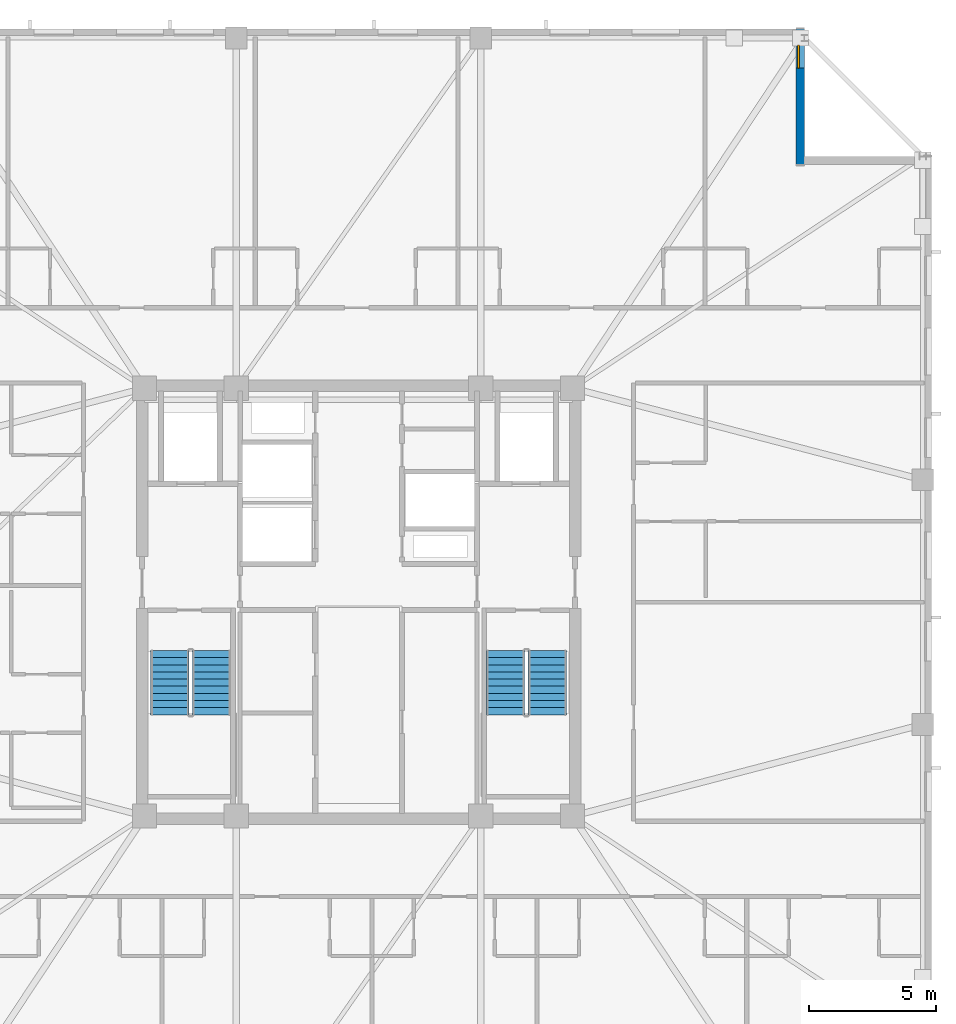
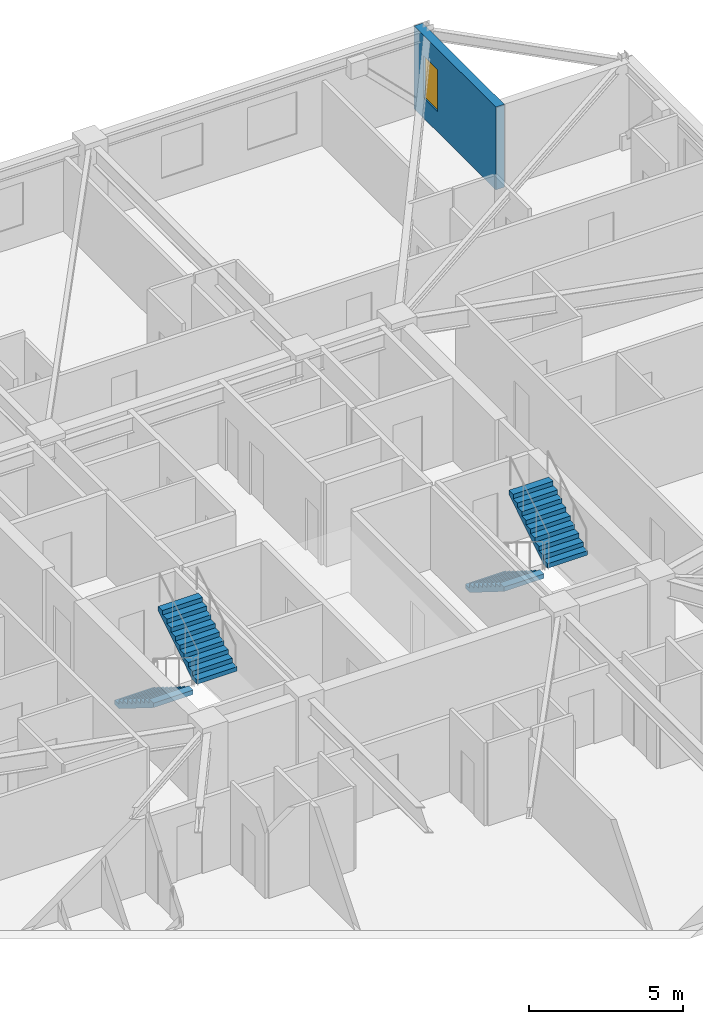
# One storey, part 12 of 17: 4 stair flights, 1 wall, 1 window, 1 opening, 2 elements without a shape of their own.
"""IFC4 building model written with IfcOpenShell, lengths in metres."""

from ifc_helpers import new_model, si_unit, direction, frame, frame_2d, origin, place, context, subcontext, project, spatial, polyline, rectangle, outline, extrude, material, layer, layer_set, type_object, element, fill, aggregate, save


model = new_model("IFC4")

# Units and contexts
model_context = context("Model", 3, precision=1e-05, world=origin(), true_north=direction((0.0, 1.0)))
body_context = subcontext(model_context, "Body", "Model", "MODEL_VIEW")
ifc_project = project(units=[si_unit("LENGTHUNIT", "METRE"), si_unit("AREAUNIT", "SQUARE_METRE"), si_unit("VOLUMEUNIT", "CUBIC_METRE"), si_unit("PLANEANGLEUNIT", "RADIAN"), si_unit("MASSUNIT", "GRAM", prefix="KILO")], contexts=[model_context])

# Site, building, storey
site_placement = place(None, origin())
site = spatial("IfcSite", under=ifc_project, at=site_placement, CompositionType="ELEMENT")
building_placement = place(site_placement, origin())
building = spatial("IfcBuilding", under=site, at=building_placement, Name="Cairnveth Concourse Tower", CompositionType="ELEMENT")
storey_placement = place(building_placement, frame((0.0, 0.0, 234.0)))
storey = spatial("IfcBuildingStorey", under=building, at=storey_placement, Name="L64", CompositionType="ELEMENT", Elevation=234.0)

# Wall, opening, window
ifc_material_1 = material(Name="Melbourne Buff Fired Clay Brick Masonry", Category="masonry")
ifc_layer = layer(ifc_material_1, 0.320068359375)
ifc_layer_set = layer_set([ifc_layer], Name="Melbourne Buff Fired Clay Brick Masonry")
wall_type = type_object("IfcWallType", Name="ZONE 3 BRICK PIER SPANDREL WALL 320", PredefinedType="SOLIDWALL", material=ifc_layer_set)
wall_placement = place(storey_placement, frame((69.340087890625, 61.5, 0.0), z_axis=(0.0, 0.0, 1.0), x_axis=(0.0, -1.0, 0.0)))
wall = element("IfcWall", 1, at=wall_placement, inside=storey, type_object=wall_type, Name="Exterior Wall EW-L64-S04", PredefinedType="SOLIDWALL", context=body_context, shape_type="SweptSolid", body=[
    extrude(rectangle(XDim=5.320068359375, YDim=0.320068359375, at=frame_2d((2.66015625, 0.0))), origin(), (0.0, 0.0, 1.0), 3.2900390625),
])
opening_placement = place(wall_placement, frame((0.6298828125, 0.0, 0.800048828125)))
opening = element("IfcOpeningElement", 2, at=opening_placement, cuts=wall, Name="Opening W13", PredefinedType="OPENING", context=body_context, shape_type="SweptSolid", body=[
    extrude(rectangle(XDim=0.89990234375, YDim=1.677978515625, at=frame_2d((0.449951171875, 0.8388671875))), frame((0.0, 0.169921875, 0.0), z_axis=(0.0, -1.0, 0.0), x_axis=(1.0, 0.0, 0.0)), (0.0, 0.0, 1.0), 0.340087890625),
])
ifc_material_2 = material(Name="Double Glazed Low-E Clear Glass", Category="glass")
window_type = type_object("IfcWindowType", Name="DEEP-SET BEDROOM LANCET WINDOW 900X1750", PartitioningType="DOUBLE_PANEL_VERTICAL", PredefinedType="WINDOW", material=ifc_material_2)
window_placement = place(opening_placement, origin())
window = element("IfcWindow", 3, at=window_placement, inside=storey, type_object=window_type, Name="Dwelling Lancet Window L64-DW4", OverallHeight=1.677978515625, OverallWidth=0.89990234375, PartitioningType="SINGLE_PANEL", PredefinedType="WINDOW", context=body_context, shape_type="SweptSolid", body=[
    extrude(rectangle(XDim=0.89990234375, YDim=1.677978515625, at=frame_2d((0.449951171875, 0.8388671875))), frame((0.0, -0.0400390625, 0.0), z_axis=(0.0, -1.0, 0.0), x_axis=(1.0, 0.0, 0.0)), (0.0, 0.0, 1.0), 0.06005859375),
])
fill(opening, window)

# Stair, stair flights
ifc_material_3 = material(Name="Precast concrete N50 (50 MPa)", Category="concrete")
stair_type = type_object("IfcStairType", Name="CORE DOG-LEG FIRE STAIR 1500", PredefinedType="HALF_TURN_STAIR", material=ifc_material_3)
stair_1_placement = place(storey_placement, origin())
stair_1 = element("IfcStair", 4, at=stair_1_placement, inside=storey, type_object=stair_type, Name="L64 Fire-Isolated Stair ST-1", PredefinedType="HALF_TURN_STAIR")
stair_flight_type = type_object("IfcStairFlightType", Name="PRECAST CONCRETE STAIR FLIGHT 1500", PredefinedType="STRAIGHT", material=ifc_material_3)
stair_flight_1_placement = place(storey_placement, frame((44.590087890625, 37.10009765625, 0.0), z_axis=(0.0, 0.0, 1.0), x_axis=(0.0, -1.0, 0.0)))
stair_flight_1 = element("IfcStairFlight", 5, at=stair_flight_1_placement, type_object=stair_flight_type, Name="ST-1 flight 1", NumberOfRisers=10, NumberOfTreads=9, PredefinedType="STRAIGHT", RiserHeight=0.175, TreadLength=0.28, context=body_context, shape_type="SweptSolid", body=[
    extrude(outline(polyline([(0.0, 0.0), (0.0, 0.175048828125), (0.280029296875, 0.175048828125), (0.280029296875, 0.35009765625), (0.56005859375, 0.35009765625), (0.56005859375, 0.52490234375), (0.840087890625, 0.52490234375), (0.840087890625, 0.699951171875), (1.1201171875, 0.699951171875), (1.1201171875, 0.875), (1.39990234375, 0.875), (1.39990234375, 1.050048828125), (1.679931640625, 1.050048828125), (1.679931640625, 1.22509765625), (1.9599609375, 1.22509765625), (1.9599609375, 1.39990234375), (2.239990234375, 1.39990234375), (2.239990234375, 1.574951171875), (2.52001953125, 1.574951171875), (2.52001953125, 1.75), (2.52001953125, 1.398193359375), (0.28271484375, 0.0), (0.0, 0.0)])), frame((0.0, 0.75, 0.0), z_axis=(0.0, -1.0, 0.0), x_axis=(1.0, 0.0, 0.0)), (0.0, 0.0, 1.0), 1.5),
])
stair_flight_2_placement = place(storey_placement, frame((46.22998046875, 34.580078125, 1.75), z_axis=(0.0, 0.0, 1.0), x_axis=(0.0, 1.0, 0.0)))
stair_flight_2 = element("IfcStairFlight", 6, at=stair_flight_2_placement, type_object=stair_flight_type, Name="ST-1 flight 2", NumberOfRisers=10, NumberOfTreads=9, PredefinedType="STRAIGHT", RiserHeight=0.175, TreadLength=0.28, context=body_context, shape_type="SweptSolid", body=[
    extrude(outline(polyline([(0.0, 0.0), (0.0, 0.175048828125), (0.280029296875, 0.175048828125), (0.280029296875, 0.35009765625), (0.56005859375, 0.35009765625), (0.56005859375, 0.52490234375), (0.840087890625, 0.52490234375), (0.840087890625, 0.699951171875), (1.1201171875, 0.699951171875), (1.1201171875, 0.875), (1.39990234375, 0.875), (1.39990234375, 1.050048828125), (1.679931640625, 1.050048828125), (1.679931640625, 1.22509765625), (1.9599609375, 1.22509765625), (1.9599609375, 1.39990234375), (2.239990234375, 1.39990234375), (2.239990234375, 1.574951171875), (2.52001953125, 1.574951171875), (2.52001953125, 1.75), (2.52001953125, 1.398193359375), (0.28271484375, 0.0), (0.0, 0.0)])), frame((0.0, 0.75, 0.0), z_axis=(0.0, -1.0, 0.0), x_axis=(1.0, 0.0, 0.0)), (0.0, 0.0, 1.0), 1.5),
])
aggregate(stair_1, [stair_flight_1, stair_flight_2])

stair_2_placement = place(storey_placement, origin())
stair_2 = element("IfcStair", 7, at=stair_2_placement, inside=storey, type_object=stair_type, Name="L64 Fire-Isolated Stair ST-2", PredefinedType="HALF_TURN_STAIR")
stair_flight_3_placement = place(storey_placement, frame((57.77001953125, 37.10009765625, 0.0), z_axis=(0.0, 0.0, 1.0), x_axis=(0.0, -1.0, 0.0)))
stair_flight_3 = element("IfcStairFlight", 8, at=stair_flight_3_placement, type_object=stair_flight_type, Name="ST-2 flight 1", NumberOfRisers=10, NumberOfTreads=9, PredefinedType="STRAIGHT", RiserHeight=0.175, TreadLength=0.28, context=body_context, shape_type="SweptSolid", body=[
    extrude(outline(polyline([(0.0, 0.0), (0.0, 0.175048828125), (0.280029296875, 0.175048828125), (0.280029296875, 0.35009765625), (0.56005859375, 0.35009765625), (0.56005859375, 0.52490234375), (0.840087890625, 0.52490234375), (0.840087890625, 0.699951171875), (1.1201171875, 0.699951171875), (1.1201171875, 0.875), (1.39990234375, 0.875), (1.39990234375, 1.050048828125), (1.679931640625, 1.050048828125), (1.679931640625, 1.22509765625), (1.9599609375, 1.22509765625), (1.9599609375, 1.39990234375), (2.239990234375, 1.39990234375), (2.239990234375, 1.574951171875), (2.52001953125, 1.574951171875), (2.52001953125, 1.75), (2.52001953125, 1.398193359375), (0.28271484375, 0.0), (0.0, 0.0)])), frame((0.0, 0.75, 0.0), z_axis=(0.0, -1.0, 0.0), x_axis=(1.0, 0.0, 0.0)), (0.0, 0.0, 1.0), 1.5),
])
stair_flight_4_placement = place(storey_placement, frame((59.409912109375, 34.580078125, 1.75), z_axis=(0.0, 0.0, 1.0), x_axis=(0.0, 1.0, 0.0)))
stair_flight_4 = element("IfcStairFlight", 9, at=stair_flight_4_placement, type_object=stair_flight_type, Name="ST-2 flight 2", NumberOfRisers=10, NumberOfTreads=9, PredefinedType="STRAIGHT", RiserHeight=0.175, TreadLength=0.28, context=body_context, shape_type="SweptSolid", body=[
    extrude(outline(polyline([(0.0, 0.0), (0.0, 0.175048828125), (0.280029296875, 0.175048828125), (0.280029296875, 0.35009765625), (0.56005859375, 0.35009765625), (0.56005859375, 0.52490234375), (0.840087890625, 0.52490234375), (0.840087890625, 0.699951171875), (1.1201171875, 0.699951171875), (1.1201171875, 0.875), (1.39990234375, 0.875), (1.39990234375, 1.050048828125), (1.679931640625, 1.050048828125), (1.679931640625, 1.22509765625), (1.9599609375, 1.22509765625), (1.9599609375, 1.39990234375), (2.239990234375, 1.39990234375), (2.239990234375, 1.574951171875), (2.52001953125, 1.574951171875), (2.52001953125, 1.75), (2.52001953125, 1.398193359375), (0.28271484375, 0.0), (0.0, 0.0)])), frame((0.0, 0.75, 0.0), z_axis=(0.0, -1.0, 0.0), x_axis=(1.0, 0.0, 0.0)), (0.0, 0.0, 1.0), 1.5),
])
aggregate(stair_2, [stair_flight_3, stair_flight_4])

save(model, "model.ifc")
